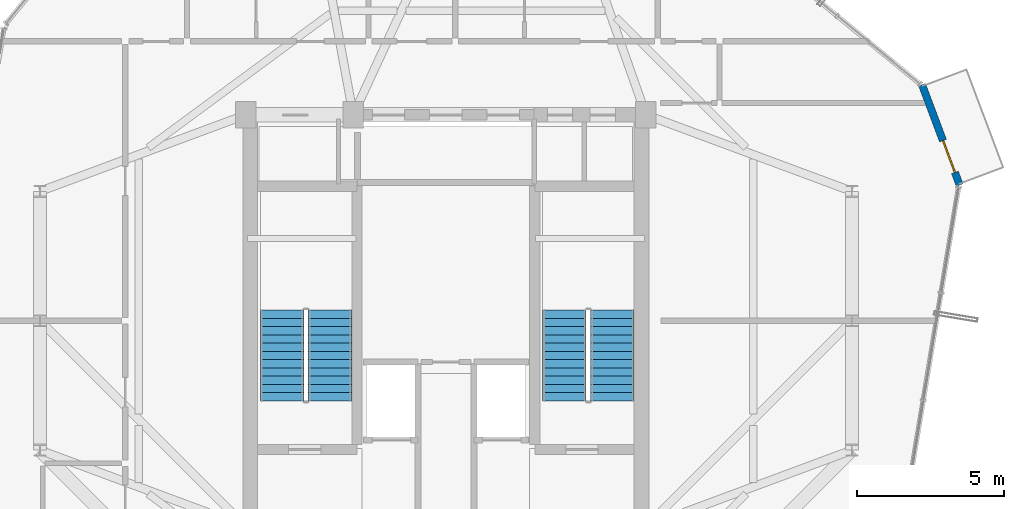
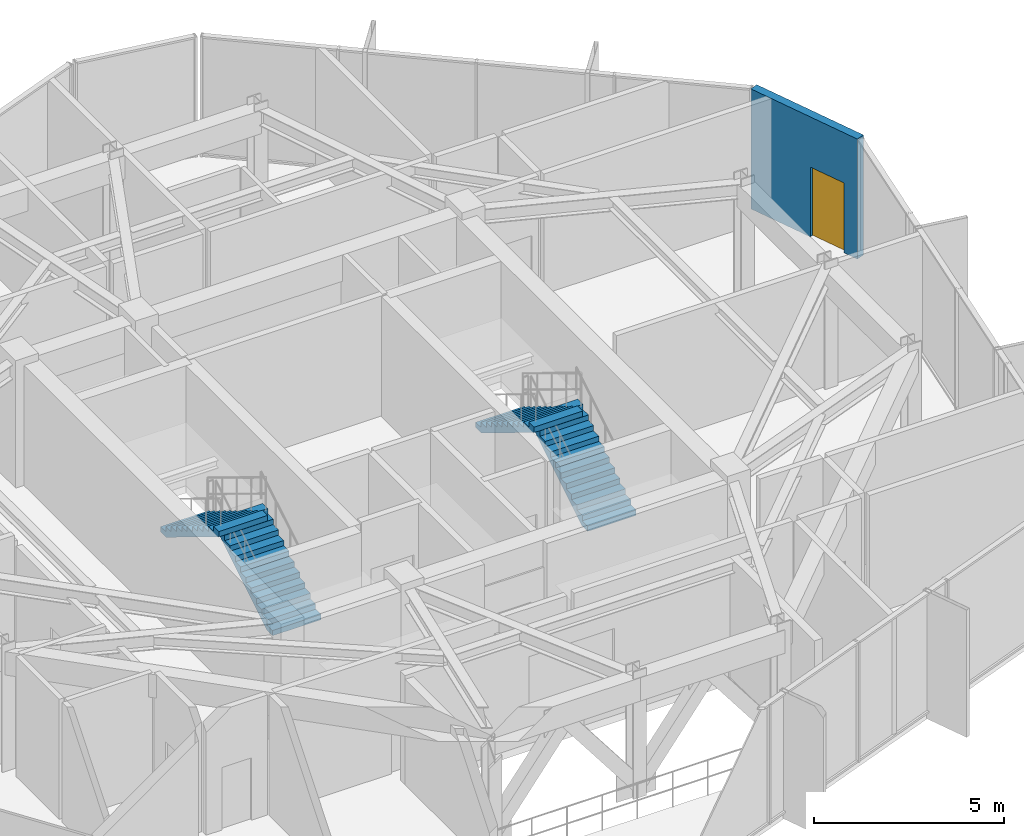
# One storey, part 20 of 22: 4 stair flights, 1 door, 1 wall, 1 opening, 2 elements without a shape of their own.
"""IFC4 building model written with IfcOpenShell, lengths in metres."""

from ifc_helpers import new_model, si_unit, direction, frame, frame_2d, origin, place, context, subcontext, project, spatial, polyline, rectangle, outline, extrude, source, transform, mapped, material, layer, layer_set, type_object, element, fill, aggregate, save


model = new_model("IFC4")

# Units and contexts
model_context = context("Model", 3, precision=1e-05, world=origin(), true_north=direction((0.0, 1.0)))
body_context = subcontext(model_context, "Body", "Model", "MODEL_VIEW")
ifc_project = project(units=[si_unit("LENGTHUNIT", "METRE"), si_unit("AREAUNIT", "SQUARE_METRE"), si_unit("VOLUMEUNIT", "CUBIC_METRE"), si_unit("PLANEANGLEUNIT", "RADIAN"), si_unit("MASSUNIT", "GRAM", prefix="KILO")], contexts=[model_context])

# Site, building, storey
site_placement = place(None, origin())
site = spatial("IfcSite", under=ifc_project, at=site_placement, CompositionType="ELEMENT")
building_placement = place(site_placement, origin())
building = spatial("IfcBuilding", under=site, at=building_placement, Name="Veraguas Prism Commons", CompositionType="ELEMENT")
storey_placement = place(building_placement, frame((0.0, 0.0, 240.64990234375)))
storey = spatial("IfcBuildingStorey", under=building, at=storey_placement, Name="L68", CompositionType="ELEMENT", Elevation=240.64990234375)

# Wall, opening, door
ifc_material_1 = material(Name="Precast concrete C40/50", Category="concrete")
ifc_layer = layer(ifc_material_1, 0.25, Name="External Loggia and Portal Wall 250", Category="concrete")
ifc_layer_set = layer_set([ifc_layer], Name="Precast concrete C40/50")
wall_type = type_object("IfcWallType", Name="External Loggia and Portal Wall 250", PredefinedType="SOLIDWALL", material=ifc_layer_set)
wall_placement = place(storey_placement, frame((41.46484375, 28.6123046875, 0.0), z_axis=(0.0, 0.0, 1.0), x_axis=(-0.351498039149, 0.936188618001, 0.0)))
wall = element("IfcWall", 1, at=wall_placement, inside=storey, type_object=wall_type, Name="Corner Loggia Wall L68-C1", PredefinedType="SOLIDWALL", context=body_context, shape_type="SweptSolid", body=[
    extrude(rectangle(XDim=3.642333984375, YDim=0.25, at=frame_2d((1.8212890625, 0.0))), origin(), (0.0, 0.0, 1.0), 3.864990234375),
])
opening_placement = place(wall_placement, frame((0.4599609375, 0.0, 0.0)))
opening = element("IfcOpeningElement", 2, at=opening_placement, cuts=wall, Name="Opening DR-10", PredefinedType="OPENING", context=body_context, shape_type="SweptSolid", body=[
    extrude(rectangle(XDim=1.14990234375, YDim=2.25, at=frame_2d((0.574951171875, 1.125))), frame((0.0, 0.135009765625, 0.0), z_axis=(0.0, -1.0, 0.0), x_axis=(1.0, 0.0, 0.0)), (0.0, 0.0, 1.0), 0.27001953125),
])
ifc_material_2 = material(Name="Anodised aluminium EN AW-6063 T6", Category="aluminium")
door_type = type_object("IfcDoorType", Name="Glazed Loggia and Terrace Door 1150x2250", OperationType="NOTDEFINED", PredefinedType="DOOR", material=ifc_material_2)
shared_shape = source(origin(), body_context, "Body", "SweptSolid", [
    extrude(rectangle(XDim=1.14990234375, YDim=2.25, at=frame_2d((0.574951171875, 1.125))), frame((0.0, 0.02490234375, 0.0), z_axis=(0.0, -1.0, 0.0), x_axis=(1.0, 0.0, 0.0)), (0.0, 0.0, 1.0), 0.050048828125),
])
door_placement = place(opening_placement, frame((1.14990234375, 0.0, 0.0), z_axis=(0.0, 0.0, 1.0), x_axis=(-1.0, 0.0, 0.0)))
door = element("IfcDoor", 3, at=door_placement, inside=storey, type_object=door_type, Name="Recessed Loggia Door L68-C1", OperationType="SINGLE_SWING_RIGHT", OverallHeight=2.25, OverallWidth=1.14990234375, PredefinedType="DOOR", context=body_context, shape_type="MappedRepresentation", body=[
    mapped(shared_shape, transform((0.0, 0.0, 0.0), scale=1.0)),
])
fill(opening, door)

# Stair, stair flights
ifc_material_3 = material(Name="Precast concrete C45/55", Category="concrete")
stair_type = type_object("IfcStairType", Name="Dogleg Core Stair 1480W 24R 08", PredefinedType="HALF_TURN_STAIR", material=ifc_material_3)
stair_1_placement = place(storey_placement, origin())
stair_1 = element("IfcStair", 4, at=stair_1_placement, inside=storey, type_object=stair_type, Name="Protected Exit Stair ST-01 L68", PredefinedType="HALF_TURN_STAIR")
stair_flight_type = type_object("IfcStairFlightType", Name="Precast Stair Flight 1480W 12R 08", PredefinedType="STRAIGHT", material=ifc_material_3)
stair_flight_1_placement = place(storey_placement, frame((20.06005859375, 21.280029296875, 0.0), z_axis=(0.0, 0.0, 1.0), x_axis=(0.0, 1.0, 0.0)))
stair_flight_1 = element("IfcStairFlight", 5, at=stair_flight_1_placement, type_object=stair_flight_type, Name="ST-08 Flight 1", NumberOfRisers=12, NumberOfTreads=11, PredefinedType="STRAIGHT", RiserHeight=0.170833333, TreadLength=0.28, context=body_context, shape_type="SweptSolid", body=[
    extrude(outline(polyline([(0.0, 0.0), (0.0, 0.1708984375), (0.280029296875, 0.1708984375), (0.280029296875, 0.341552734375), (0.56005859375, 0.341552734375), (0.56005859375, 0.512451171875), (0.840087890625, 0.512451171875), (0.840087890625, 0.683349609375), (1.1201171875, 0.683349609375), (1.1201171875, 0.854248046875), (1.39990234375, 0.854248046875), (1.39990234375, 1.02490234375), (1.679931640625, 1.02490234375), (1.679931640625, 1.19580078125), (1.9599609375, 1.19580078125), (1.9599609375, 1.36669921875), (2.239990234375, 1.36669921875), (2.239990234375, 1.53759765625), (2.52001953125, 1.53759765625), (2.52001953125, 1.708251953125), (2.800048828125, 1.708251953125), (2.800048828125, 1.879150390625), (3.080078125, 1.879150390625), (3.080078125, 2.050048828125), (3.080078125, 1.70361328125), (0.287841796875, 0.0), (0.0, 0.0)])), frame((0.0, 0.739990234375, 0.0), z_axis=(0.0, -1.0, 0.0), x_axis=(1.0, 0.0, 0.0)), (0.0, 0.0, 1.0), 1.47998046875),
])
stair_flight_2_placement = place(storey_placement, frame((18.429931640625, 24.360107421875, 2.050048828125), z_axis=(0.0, 0.0, 1.0), x_axis=(0.0, -1.0, 0.0)))
stair_flight_2 = element("IfcStairFlight", 6, at=stair_flight_2_placement, type_object=stair_flight_type, Name="ST-08 Flight 2", NumberOfRisers=12, NumberOfTreads=11, PredefinedType="STRAIGHT", RiserHeight=0.170833333, TreadLength=0.28, context=body_context, shape_type="SweptSolid", body=[
    extrude(outline(polyline([(0.0, 0.0), (0.0, 0.1708984375), (0.280029296875, 0.1708984375), (0.280029296875, 0.341552734375), (0.56005859375, 0.341552734375), (0.56005859375, 0.512451171875), (0.840087890625, 0.512451171875), (0.840087890625, 0.683349609375), (1.1201171875, 0.683349609375), (1.1201171875, 0.854248046875), (1.39990234375, 0.854248046875), (1.39990234375, 1.02490234375), (1.679931640625, 1.02490234375), (1.679931640625, 1.19580078125), (1.9599609375, 1.19580078125), (1.9599609375, 1.36669921875), (2.239990234375, 1.36669921875), (2.239990234375, 1.53759765625), (2.52001953125, 1.53759765625), (2.52001953125, 1.708251953125), (2.800048828125, 1.708251953125), (2.800048828125, 1.879150390625), (3.080078125, 1.879150390625), (3.080078125, 2.050048828125), (3.080078125, 1.70361328125), (0.287841796875, 0.0), (0.0, 0.0)])), frame((0.0, 0.739990234375, 0.0), z_axis=(0.0, -1.0, 0.0), x_axis=(1.0, 0.0, 0.0)), (0.0, 0.0, 1.0), 1.47998046875),
])
aggregate(stair_1, [stair_flight_1, stair_flight_2])

stair_2_placement = place(storey_placement, origin())
stair_2 = element("IfcStair", 7, at=stair_2_placement, inside=storey, type_object=stair_type, Name="Protected Exit Stair ST-02 L68", PredefinedType="HALF_TURN_STAIR")
stair_flight_3_placement = place(storey_placement, frame((29.659912109375, 21.280029296875, 0.0), z_axis=(0.0, 0.0, 1.0), x_axis=(0.0, 1.0, 0.0)))
stair_flight_3 = element("IfcStairFlight", 8, at=stair_flight_3_placement, type_object=stair_flight_type, Name="ST-08 Flight 1", NumberOfRisers=12, NumberOfTreads=11, PredefinedType="STRAIGHT", RiserHeight=0.170833333, TreadLength=0.28, context=body_context, shape_type="SweptSolid", body=[
    extrude(outline(polyline([(0.0, 0.0), (0.0, 0.1708984375), (0.280029296875, 0.1708984375), (0.280029296875, 0.341552734375), (0.56005859375, 0.341552734375), (0.56005859375, 0.512451171875), (0.840087890625, 0.512451171875), (0.840087890625, 0.683349609375), (1.1201171875, 0.683349609375), (1.1201171875, 0.854248046875), (1.39990234375, 0.854248046875), (1.39990234375, 1.02490234375), (1.679931640625, 1.02490234375), (1.679931640625, 1.19580078125), (1.9599609375, 1.19580078125), (1.9599609375, 1.36669921875), (2.239990234375, 1.36669921875), (2.239990234375, 1.53759765625), (2.52001953125, 1.53759765625), (2.52001953125, 1.708251953125), (2.800048828125, 1.708251953125), (2.800048828125, 1.879150390625), (3.080078125, 1.879150390625), (3.080078125, 2.050048828125), (3.080078125, 1.70361328125), (0.287841796875, 0.0), (0.0, 0.0)])), frame((0.0, 0.739990234375, 0.0), z_axis=(0.0, -1.0, 0.0), x_axis=(1.0, 0.0, 0.0)), (0.0, 0.0, 1.0), 1.47998046875),
])
stair_flight_4_placement = place(storey_placement, frame((28.030029296875, 24.360107421875, 2.050048828125), z_axis=(0.0, 0.0, 1.0), x_axis=(0.0, -1.0, 0.0)))
stair_flight_4 = element("IfcStairFlight", 9, at=stair_flight_4_placement, type_object=stair_flight_type, Name="ST-08 Flight 2", NumberOfRisers=12, NumberOfTreads=11, PredefinedType="STRAIGHT", RiserHeight=0.170833333, TreadLength=0.28, context=body_context, shape_type="SweptSolid", body=[
    extrude(outline(polyline([(0.0, 0.0), (0.0, 0.1708984375), (0.280029296875, 0.1708984375), (0.280029296875, 0.341552734375), (0.56005859375, 0.341552734375), (0.56005859375, 0.512451171875), (0.840087890625, 0.512451171875), (0.840087890625, 0.683349609375), (1.1201171875, 0.683349609375), (1.1201171875, 0.854248046875), (1.39990234375, 0.854248046875), (1.39990234375, 1.02490234375), (1.679931640625, 1.02490234375), (1.679931640625, 1.19580078125), (1.9599609375, 1.19580078125), (1.9599609375, 1.36669921875), (2.239990234375, 1.36669921875), (2.239990234375, 1.53759765625), (2.52001953125, 1.53759765625), (2.52001953125, 1.708251953125), (2.800048828125, 1.708251953125), (2.800048828125, 1.879150390625), (3.080078125, 1.879150390625), (3.080078125, 2.050048828125), (3.080078125, 1.70361328125), (0.287841796875, 0.0), (0.0, 0.0)])), frame((0.0, 0.739990234375, 0.0), z_axis=(0.0, -1.0, 0.0), x_axis=(1.0, 0.0, 0.0)), (0.0, 0.0, 1.0), 1.47998046875),
])
aggregate(stair_2, [stair_flight_3, stair_flight_4])

save(model, "model.ifc")
